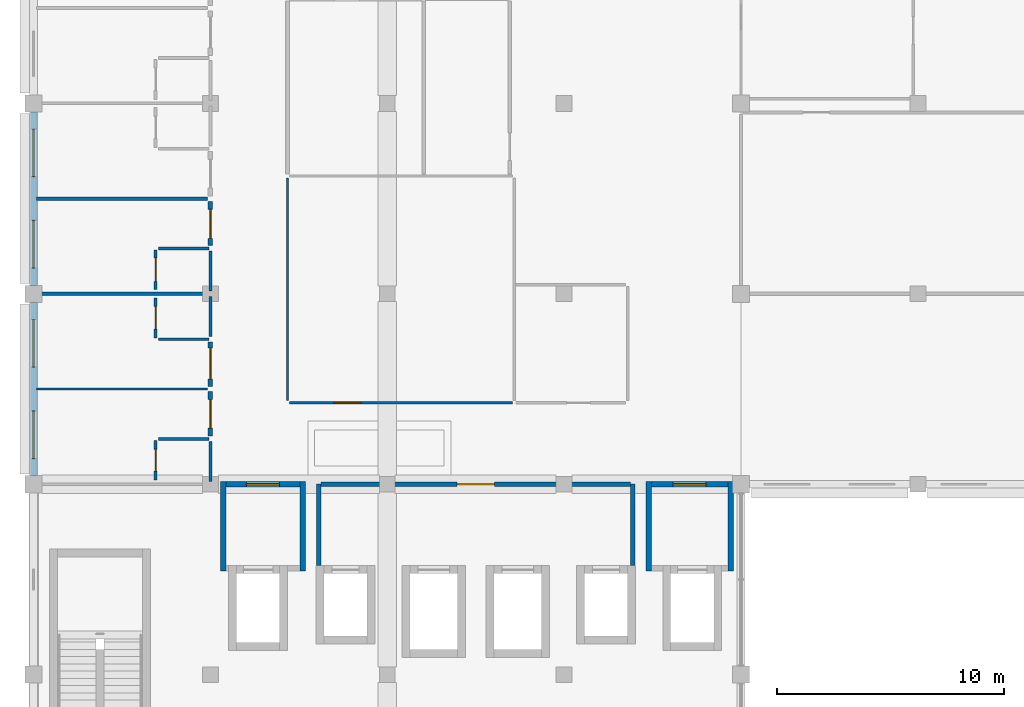
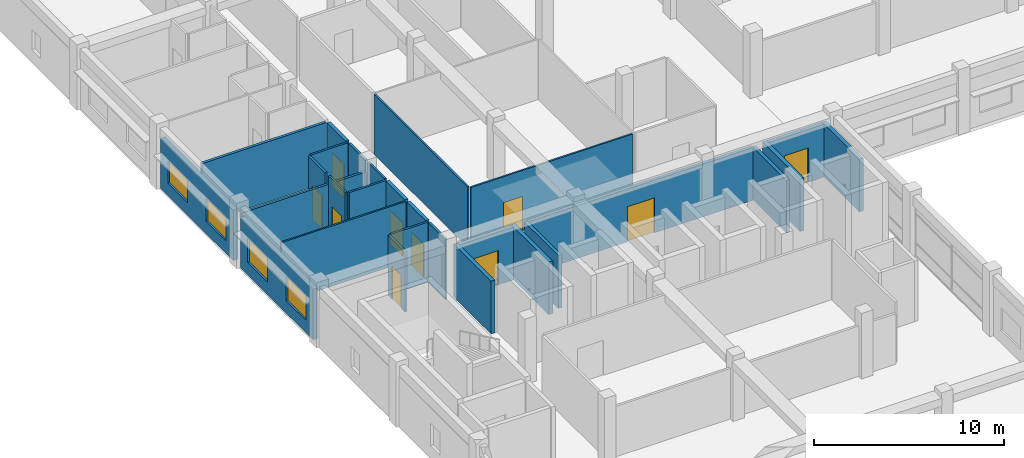
# One storey, part 29 of 53: 28 walls, 10 doors, 4 windows, 14 openings.
"""IFC4 building model written with IfcOpenShell, lengths in metres."""

from ifc_helpers import new_model, si_unit, direction, frame, frame_2d, origin, place, context, subcontext, project, spatial, rectangle, extrude, material, layer, layer_set, type_object, element, fill, save


model = new_model("IFC4")

# Units and contexts
model_context = context("Model", 3, precision=1e-05, world=origin(), true_north=direction((0.0, 1.0)))
body_context = subcontext(model_context, "Body", "Model", "MODEL_VIEW")
ifc_project = project(units=[si_unit("LENGTHUNIT", "METRE"), si_unit("AREAUNIT", "SQUARE_METRE"), si_unit("VOLUMEUNIT", "CUBIC_METRE"), si_unit("PLANEANGLEUNIT", "RADIAN"), si_unit("MASSUNIT", "GRAM", prefix="KILO"), si_unit("THERMODYNAMICTEMPERATUREUNIT", "KELVIN"), si_unit("POWERUNIT", "WATT")], contexts=[model_context])

# Site, building, storey
site_placement = place(None, origin())
site = spatial("IfcSite", under=ifc_project, at=site_placement, CompositionType="ELEMENT")
building_placement = place(site_placement, origin())
building = spatial("IfcBuilding", under=site, at=building_placement, Name="Srebrne Nadtorze General Hospital", CompositionType="ELEMENT")
storey_placement = place(building_placement, frame((0.0, 0.0, 18.0)))
storey = spatial("IfcBuildingStorey", under=building, at=storey_placement, Name="L04", CompositionType="ELEMENT", Elevation=18.0)

# Walls
ifc_material_1 = material(Name="Gypsum Healthcare Partition")
ifc_layer_1 = layer(ifc_material_1, 0.139892578125)
ifc_layer_set_1 = layer_set([ifc_layer_1], Name="Gypsum Healthcare Partition")
wall_type_1 = type_object("IfcWallType", Name="Clinical partition 140", PredefinedType="PARTITIONING", material=ifc_layer_set_1)
wall_1_placement = place(storey_placement, frame((23.52001953125, 58.800048828125, 0.0), z_axis=(0.0, 0.0, 1.0), x_axis=(1.0, 0.0, 0.0)))
element("IfcWall", 1, at=wall_1_placement, inside=storey, type_object=wall_type_1, Name="Ward inter-room partition WL-INT-L04-1700", PredefinedType="PARTITIONING", context=body_context, shape_type="SweptSolid", body=[
    extrude(rectangle(XDim=7.56005859375, YDim=0.139892578125, at=frame_2d((3.780029296875, 0.0))), origin(), (0.0, 0.0, 1.0), 3.235107421875),
])
ifc_material_2 = material(Name="Gypsum Healthcare Partition")
ifc_layer_2 = layer(ifc_material_2, 0.159912109375)
ifc_layer_set_2 = layer_set([ifc_layer_2], Name="Gypsum Healthcare Partition")
wall_type_2 = type_object("IfcWallType", Name="Clinical partition 160", PredefinedType="PARTITIONING", material=ifc_layer_set_2)
wall_2_placement = place(storey_placement, frame((23.52001953125, 63.0, 0.0), z_axis=(0.0, 0.0, 1.0), x_axis=(1.0, 0.0, 0.0)))
element("IfcWall", 2, at=wall_2_placement, inside=storey, type_object=wall_type_2, Name="Ward inter-room partition WL-INT-L04-1705", PredefinedType="PARTITIONING", context=body_context, shape_type="SweptSolid", body=[
    extrude(rectangle(XDim=7.56005859375, YDim=0.159912109375, at=frame_2d((3.780029296875, 0.0))), origin(), (0.0, 0.0, 1.0), 3.864990234375),
])
ifc_material_3 = material(Name="Gypsum Healthcare Partition")
ifc_layer_3 = layer(ifc_material_3, 0.199951171875)
ifc_layer_set_3 = layer_set([ifc_layer_3], Name="Gypsum Healthcare Partition")
wall_type_3 = type_object("IfcWallType", Name="Compartment wall 200", PredefinedType="STANDARD", material=ifc_layer_set_3)
for number, where, z_axis, x_axis, name in (
    (3, (35.97998046875, 46.81005859375, 0.0), (0.0, 0.0, 1.0), (0.0, 1.0, 0.0), "Lift lobby side wall WL-INT-L04-1065"),
    (4, (49.820068359375, 46.81005859375, 0.0), (0.0, 0.0, 1.0), (0.0, 1.0, 0.0), "Lift lobby side wall WL-INT-L04-1066"),
):
    element("IfcWall", number, at=place(storey_placement, frame(where, z_axis=z_axis, x_axis=x_axis)), inside=storey, type_object=wall_type_3, Name=name, PredefinedType="STANDARD", context=body_context, shape_type="SweptSolid", body=[
        extrude(rectangle(XDim=3.58984375, YDim=0.199951171875, at=frame_2d((1.794921875, 0.0))), origin(), (0.0, 0.0, 1.0), 3.385009765625),
    ])

# Wall, opening, door
wall_3_placement = place(storey_placement, frame((36.080078125, 50.39990234375, 0.0), z_axis=(0.0, 0.0, 1.0), x_axis=(1.0, 0.0, 0.0)))
wall_3 = element("IfcWall", 5, at=wall_3_placement, inside=storey, type_object=wall_type_3, Name="Lift lobby corridor wall WL-INT-L04-1067", PredefinedType="STANDARD", context=body_context, shape_type="SweptSolid", body=[
    extrude(rectangle(XDim=13.639892578125, YDim=0.199951171875, at=frame_2d((6.81982421875, 0.0))), origin(), (0.0, 0.0, 1.0), 3.385009765625),
])
opening_1_placement = place(wall_3_placement, frame((5.9951171875, 0.0, 0.0)))
opening_1 = element("IfcOpeningElement", 6, at=opening_1_placement, cuts=wall_3, Name="Opening D-L04-0144", PredefinedType="OPENING", context=body_context, shape_type="SweptSolid", body=[
    extrude(rectangle(XDim=1.64990234375, YDim=2.25, at=frame_2d((0.824951171875, 1.125))), frame((0.0, 0.11181640625, 0.0), z_axis=(0.0, -1.0, 0.0), x_axis=(1.0, 0.0, 0.0)), (0.0, 0.0, 1.0), 0.223876953125),
])
ifc_material_4 = material(Name="Anodised Aluminium", Category="aluminium")
door_type_1 = type_object("IfcDoorType", Name="Double leaf door 1650x2250", OperationType="DOUBLE_DOOR_SINGLE_SWING", PredefinedType="DOOR", material=ifc_material_4)
door_1_placement = place(opening_1_placement, origin())
door_1 = element("IfcDoor", 7, at=door_1_placement, inside=storey, type_object=door_type_1, Name="Lift lobby corridor door D-L04-0144", OperationType="DOUBLE_DOOR_SINGLE_SWING", OverallHeight=2.25, OverallWidth=1.64990234375, PredefinedType="DOOR", context=body_context, shape_type="SweptSolid", body=[
    extrude(rectangle(XDim=1.64990234375, YDim=2.25, at=frame_2d((0.824951171875, 1.125))), frame((0.0, 0.02490234375, 0.0), z_axis=(0.0, -1.0, 0.0), x_axis=(1.0, 0.0, 0.0)), (0.0, 0.0, 1.0), 0.050048828125),
])
fill(opening_1, door_1)

wall_4_placement = place(storey_placement, frame((31.199951171875, 52.52001953125, 0.0), z_axis=(0.0, 0.0, 1.0), x_axis=(0.0, 1.0, 0.0)))
wall_4 = element("IfcWall", 8, at=wall_4_placement, inside=storey, type_object=wall_type_3, Name="Ward corridor wall WL-INT-L04-1696", PredefinedType="STANDARD", context=body_context, shape_type="SweptSolid", body=[
    extrude(rectangle(XDim=1.9599609375, YDim=0.199951171875, at=frame_2d((0.97998046875, 0.0))), origin(), (0.0, 0.0, 1.0), 3.864990234375),
])
opening_2_placement = place(wall_4_placement, frame((0.35009765625, 0.0, 0.0)))
opening_2 = element("IfcOpeningElement", 9, at=opening_2_placement, cuts=wall_4, Name="Opening D-L04-0294", PredefinedType="OPENING", context=body_context, shape_type="SweptSolid", body=[
    extrude(rectangle(XDim=1.260009765625, YDim=2.10009765625, at=frame_2d((0.6298828125, 1.050048828125))), frame((0.0, 0.11181640625, 0.0), z_axis=(0.0, -1.0, 0.0), x_axis=(1.0, 0.0, 0.0)), (0.0, 0.0, 1.0), 0.223876953125),
])
ifc_material_5 = material(Name="Anodised Aluminium", Category="aluminium")
door_type_2 = type_object("IfcDoorType", Name="Single leaf door 1260x2100", OperationType="NOTDEFINED", PredefinedType="DOOR", material=ifc_material_5)
door_2_placement = place(opening_2_placement, origin())
door_2 = element("IfcDoor", 10, at=door_2_placement, inside=storey, type_object=door_type_2, Name="Ward patient room door D-L04-0294", OperationType="SINGLE_SWING_RIGHT", OverallHeight=2.10009765625, OverallWidth=1.260009765625, PredefinedType="DOOR", context=body_context, shape_type="SweptSolid", body=[
    extrude(rectangle(XDim=1.260009765625, YDim=2.10009765625, at=frame_2d((0.6298828125, 1.050048828125))), frame((0.0, 0.02490234375, 0.0), z_axis=(0.0, -1.0, 0.0), x_axis=(1.0, 0.0, 0.0)), (0.0, 0.0, 1.0), 0.050048828125),
])
fill(opening_2, door_2)

wall_5_placement = place(storey_placement, frame((31.199951171875, 54.719970703125, 0.0), z_axis=(0.0, 0.0, 1.0), x_axis=(0.0, 1.0, 0.0)))
wall_5 = element("IfcWall", 11, at=wall_5_placement, inside=storey, type_object=wall_type_3, Name="Ward corridor wall WL-INT-L04-1701", PredefinedType="STANDARD", context=body_context, shape_type="SweptSolid", body=[
    extrude(rectangle(XDim=1.9599609375, YDim=0.199951171875, at=frame_2d((0.97998046875, 0.0))), origin(), (0.0, 0.0, 1.0), 3.864990234375),
])
opening_3_placement = place(wall_5_placement, frame((0.330078125, 0.0, 0.0)))
opening_3 = element("IfcOpeningElement", 12, at=opening_3_placement, cuts=wall_5, Name="Opening D-L04-0296", PredefinedType="OPENING", context=body_context, shape_type="SweptSolid", body=[
    extrude(rectangle(XDim=1.35009765625, YDim=2.14990234375, at=frame_2d((0.675048828125, 1.074951171875))), frame((0.0, 0.11181640625, 0.0), z_axis=(0.0, -1.0, 0.0), x_axis=(1.0, 0.0, 0.0)), (0.0, 0.0, 1.0), 0.223876953125),
])
ifc_material_6 = material(Name="Anodised Aluminium", Category="aluminium")
door_type_3 = type_object("IfcDoorType", Name="Single leaf door 1350x2150", OperationType="NOTDEFINED", PredefinedType="DOOR", material=ifc_material_6)
door_3_placement = place(opening_3_placement, origin())
door_3 = element("IfcDoor", 13, at=door_3_placement, inside=storey, type_object=door_type_3, Name="Ward patient room door D-L04-0296", OperationType="SINGLE_SWING_LEFT", OverallHeight=2.14990234375, OverallWidth=1.35009765625, PredefinedType="DOOR", context=body_context, shape_type="SweptSolid", body=[
    extrude(rectangle(XDim=1.35009765625, YDim=2.14990234375, at=frame_2d((0.675048828125, 1.074951171875))), frame((0.0, 0.02490234375, 0.0), z_axis=(0.0, -1.0, 0.0), x_axis=(1.0, 0.0, 0.0)), (0.0, 0.0, 1.0), 0.050048828125),
])
fill(opening_3, door_3)

wall_6_placement = place(storey_placement, frame((31.199951171875, 60.919921875, 0.0), z_axis=(0.0, 0.0, 1.0), x_axis=(0.0, 1.0, 0.0)))
wall_6 = element("IfcWall", 14, at=wall_6_placement, inside=storey, type_object=wall_type_3, Name="Ward corridor wall WL-INT-L04-1706", PredefinedType="STANDARD", context=body_context, shape_type="SweptSolid", body=[
    extrude(rectangle(XDim=1.9599609375, YDim=0.199951171875, at=frame_2d((0.97998046875, 0.0))), origin(), (0.0, 0.0, 1.0), 3.864990234375),
])
opening_4_placement = place(wall_6_placement, frame((0.320068359375, 0.0, 0.0)))
opening_4 = element("IfcOpeningElement", 15, at=opening_4_placement, cuts=wall_6, Name="Opening D-L04-0298", PredefinedType="OPENING", context=body_context, shape_type="SweptSolid", body=[
    extrude(rectangle(XDim=1.280029296875, YDim=2.14990234375, at=frame_2d((0.64013671875, 1.074951171875))), frame((0.0, 0.11181640625, 0.0), z_axis=(0.0, -1.0, 0.0), x_axis=(1.0, 0.0, 0.0)), (0.0, 0.0, 1.0), 0.223876953125),
])
ifc_material_7 = material(Name="Anodised Aluminium", Category="aluminium")
door_type_4 = type_object("IfcDoorType", Name="Single leaf door 1280x2150", OperationType="NOTDEFINED", PredefinedType="DOOR", material=ifc_material_7)
door_4_placement = place(opening_4_placement, origin())
door_4 = element("IfcDoor", 16, at=door_4_placement, inside=storey, type_object=door_type_4, Name="Ward patient room door D-L04-0298", OperationType="SINGLE_SWING_LEFT", OverallHeight=2.14990234375, OverallWidth=1.280029296875, PredefinedType="DOOR", context=body_context, shape_type="SweptSolid", body=[
    extrude(rectangle(XDim=1.280029296875, YDim=2.14990234375, at=frame_2d((0.64013671875, 1.074951171875))), frame((0.0, 0.02490234375, 0.0), z_axis=(0.0, -1.0, 0.0), x_axis=(1.0, 0.0, 0.0)), (0.0, 0.0, 1.0), 0.050048828125),
])
fill(opening_4, door_4)

# Walls
ifc_material_8 = material(Name="Gypsum Healthcare Partition")
ifc_layer_4 = layer(ifc_material_8, 0.239990234375)
ifc_layer_set_4 = layer_set([ifc_layer_4], Name="Gypsum Healthcare Partition")
wall_type_4 = type_object("IfcWallType", Name="Corridor fire wall 240", PredefinedType="STANDARD", material=ifc_layer_set_4)
for number, where, z_axis, x_axis, name in (
    (17, (31.760009765625, 46.570068359375, 0.0), (0.0, 0.0, 1.0), (0.0, 1.0, 0.0), "FF lift lobby wall WL-INT-L04-1055"),
    (18, (35.27001953125, 46.570068359375, 0.0), (0.0, 0.0, 1.0), (0.0, 1.0, 0.0), "FF lift lobby wall WL-INT-L04-1056"),
):
    element("IfcWall", number, at=place(storey_placement, frame(where, z_axis=z_axis, x_axis=x_axis)), inside=storey, type_object=wall_type_4, Name=name, PredefinedType="STANDARD", context=body_context, shape_type="SweptSolid", body=[
        extrude(rectangle(XDim=3.949951171875, YDim=0.239990234375, at=frame_2d((1.97509765625, 0.0))), origin(), (0.0, 0.0, 1.0), 3.385009765625),
    ])

# Wall, opening, door
wall_7_placement = place(storey_placement, frame((31.8798828125, 50.39990234375, 0.0), z_axis=(0.0, 0.0, 1.0), x_axis=(1.0, 0.0, 0.0)))
wall_7 = element("IfcWall", 19, at=wall_7_placement, inside=storey, type_object=wall_type_4, Name="FF lift lobby front wall WL-INT-L04-1059", PredefinedType="STANDARD", context=body_context, shape_type="SweptSolid", body=[
    extrude(rectangle(XDim=3.27001953125, YDim=0.239990234375, at=frame_2d((1.635009765625, 0.0))), origin(), (0.0, 0.0, 1.0), 3.385009765625),
])
opening_5_placement = place(wall_7_placement, frame((0.909912109375, 0.0, 0.0)))
opening_5 = element("IfcOpeningElement", 20, at=opening_5_placement, cuts=wall_7, Name="Opening D-L04-0142", PredefinedType="OPENING", context=body_context, shape_type="SweptSolid", body=[
    extrude(rectangle(XDim=1.449951171875, YDim=2.199951171875, at=frame_2d((0.72509765625, 1.10009765625))), frame((0.0, 0.1318359375, 0.0), z_axis=(0.0, -1.0, 0.0), x_axis=(1.0, 0.0, 0.0)), (0.0, 0.0, 1.0), 0.263916015625),
])
ifc_material_9 = material(Name="Anodised Aluminium", Category="aluminium")
door_type_5 = type_object("IfcDoorType", Name="Double leaf door 1450x2200", OperationType="DOUBLE_DOOR_SINGLE_SWING", PredefinedType="DOOR", material=ifc_material_9)
door_5_placement = place(opening_5_placement, origin())
door_5 = element("IfcDoor", 21, at=door_5_placement, inside=storey, type_object=door_type_5, Name="Firefighting lift lobby door D-L04-0142", OperationType="DOUBLE_DOOR_SINGLE_SWING", OverallHeight=2.199951171875, OverallWidth=1.449951171875, PredefinedType="DOOR", context=body_context, shape_type="SweptSolid", body=[
    extrude(rectangle(XDim=1.449951171875, YDim=2.199951171875, at=frame_2d((0.72509765625, 1.10009765625))), frame((0.0, 0.02490234375, 0.0), z_axis=(0.0, -1.0, 0.0), x_axis=(1.0, 0.0, 0.0)), (0.0, 0.0, 1.0), 0.050048828125),
])
fill(opening_5, door_5)

# Walls
for number, where, z_axis, x_axis, name in (
    (22, (50.530029296875, 46.570068359375, 0.0), (0.0, 0.0, 1.0), (0.0, 1.0, 0.0), "FF lift lobby wall WL-INT-L04-1060"),
    (23, (54.139892578125, 46.570068359375, 0.0), (0.0, 0.0, 1.0), (0.0, 1.0, 0.0), "FF lift lobby wall WL-INT-L04-1061"),
):
    element("IfcWall", number, at=place(storey_placement, frame(where, z_axis=z_axis, x_axis=x_axis)), inside=storey, type_object=wall_type_4, Name=name, PredefinedType="STANDARD", context=body_context, shape_type="SweptSolid", body=[
        extrude(rectangle(XDim=3.949951171875, YDim=0.239990234375, at=frame_2d((1.97509765625, 0.0))), origin(), (0.0, 0.0, 1.0), 3.385009765625),
    ])

# Wall, opening, door
wall_8_placement = place(storey_placement, frame((50.64990234375, 50.39990234375, 0.0), z_axis=(0.0, 0.0, 1.0), x_axis=(1.0, 0.0, 0.0)))
wall_8 = element("IfcWall", 24, at=wall_8_placement, inside=storey, type_object=wall_type_4, Name="FF lift lobby front wall WL-INT-L04-1064", PredefinedType="STANDARD", context=body_context, shape_type="SweptSolid", body=[
    extrude(rectangle(XDim=3.3701171875, YDim=0.239990234375, at=frame_2d((1.68505859375, 0.0))), origin(), (0.0, 0.0, 1.0), 3.385009765625),
])
opening_6_placement = place(wall_8_placement, frame((0.9599609375, 0.0, 0.0)))
opening_6 = element("IfcOpeningElement", 25, at=opening_6_placement, cuts=wall_8, Name="Opening D-L04-0143", PredefinedType="OPENING", context=body_context, shape_type="SweptSolid", body=[
    extrude(rectangle(XDim=1.449951171875, YDim=2.199951171875, at=frame_2d((0.72509765625, 1.10009765625))), frame((0.0, 0.1318359375, 0.0), z_axis=(0.0, -1.0, 0.0), x_axis=(1.0, 0.0, 0.0)), (0.0, 0.0, 1.0), 0.263916015625),
])
door_6_placement = place(opening_6_placement, origin())
door_6 = element("IfcDoor", 26, at=door_6_placement, inside=storey, type_object=door_type_5, Name="Firefighting lift lobby door D-L04-0143", OperationType="DOUBLE_DOOR_SINGLE_SWING", OverallHeight=2.199951171875, OverallWidth=1.449951171875, PredefinedType="DOOR", context=body_context, shape_type="SweptSolid", body=[
    extrude(rectangle(XDim=1.449951171875, YDim=2.199951171875, at=frame_2d((0.72509765625, 1.10009765625))), frame((0.0, 0.02490234375, 0.0), z_axis=(0.0, -1.0, 0.0), x_axis=(1.0, 0.0, 0.0)), (0.0, 0.0, 1.0), 0.050048828125),
])
fill(opening_6, door_6)

# Walls
ifc_material_10 = material(Name="Gypsum Healthcare Partition")
ifc_layer_5 = layer(ifc_material_10, 0.1201171875)
ifc_layer_set_5 = layer_set([ifc_layer_5], Name="Gypsum Healthcare Partition")
wall_type_5 = type_object("IfcWallType", Name="En-suite partition 120", PredefinedType="PARTITIONING", material=ifc_layer_set_5)
wall_9_placement = place(storey_placement, frame((31.199951171875, 50.52001953125, 0.0), z_axis=(0.0, 0.0, 1.0), x_axis=(0.0, 1.0, 0.0)))
element("IfcWall", 27, at=wall_9_placement, inside=storey, type_object=wall_type_5, Name="En-suite corridor wall WL-INT-L04-1697", PredefinedType="PARTITIONING", context=body_context, shape_type="SweptSolid", body=[
    extrude(rectangle(XDim=1.760009765625, YDim=0.1201171875, at=frame_2d((0.8798828125, 0.0))), origin(), (0.0, 0.0, 1.0), 3.864990234375),
])
wall_10_placement = place(storey_placement, frame((28.89990234375, 52.39990234375, 0.0), z_axis=(0.0, 0.0, 1.0), x_axis=(1.0, 0.0, 0.0)))
element("IfcWall", 28, at=wall_10_placement, inside=storey, type_object=wall_type_5, Name="En-suite wet wall WL-INT-L04-1698", PredefinedType="PARTITIONING", context=body_context, shape_type="SweptSolid", body=[
    extrude(rectangle(XDim=2.239990234375, YDim=0.1201171875, at=frame_2d((1.1201171875, 0.0))), origin(), (0.0, 0.0, 1.0), 3.864990234375),
])

# Wall, opening, door
wall_11_placement = place(storey_placement, frame((28.780029296875, 50.580078125, 0.0), z_axis=(0.0, 0.0, 1.0), x_axis=(0.0, 1.0, 0.0)))
wall_11 = element("IfcWall", 29, at=wall_11_placement, inside=storey, type_object=wall_type_5, Name="En-suite wet wall WL-INT-L04-1699", PredefinedType="PARTITIONING", context=body_context, shape_type="SweptSolid", body=[
    extrude(rectangle(XDim=1.760009765625, YDim=0.1201171875, at=frame_2d((0.8798828125, 0.0))), origin(), (0.0, 0.0, 1.0), 3.864990234375),
])
opening_7_placement = place(wall_11_placement, frame((0.39990234375, 0.0, 0.0)))
opening_7 = element("IfcOpeningElement", 30, at=opening_7_placement, cuts=wall_11, Name="Opening D-L04-0295", PredefinedType="OPENING", context=body_context, shape_type="SweptSolid", body=[
    extrude(rectangle(XDim=0.9599609375, YDim=2.1201171875, at=frame_2d((0.47998046875, 1.06005859375))), frame((0.0, 0.072021484375, 0.0), z_axis=(0.0, -1.0, 0.0), x_axis=(1.0, 0.0, 0.0)), (0.0, 0.0, 1.0), 0.14404296875),
])
ifc_material_11 = material(Name="Anodised Aluminium", Category="aluminium")
door_type_6 = type_object("IfcDoorType", Name="Single leaf door 960x2120", OperationType="NOTDEFINED", PredefinedType="DOOR", material=ifc_material_11)
door_7_placement = place(opening_7_placement, frame((0.9599609375, 0.0, 0.0), z_axis=(0.0, 0.0, 1.0), x_axis=(-1.0, 0.0, 0.0)))
door_7 = element("IfcDoor", 31, at=door_7_placement, inside=storey, type_object=door_type_6, Name="En-suite bathroom door D-L04-0295", OperationType="SINGLE_SWING_RIGHT", OverallHeight=2.1201171875, OverallWidth=0.9599609375, PredefinedType="DOOR", context=body_context, shape_type="SweptSolid", body=[
    extrude(rectangle(XDim=0.9599609375, YDim=2.1201171875, at=frame_2d((0.47998046875, 1.06005859375))), frame((0.0, 0.02490234375, 0.0), z_axis=(0.0, -1.0, 0.0), x_axis=(1.0, 0.0, 0.0)), (0.0, 0.0, 1.0), 0.050048828125),
])
fill(opening_7, door_7)

# Walls
wall_12_placement = place(storey_placement, frame((31.199951171875, 56.919921875, 0.0), z_axis=(0.0, 0.0, 1.0), x_axis=(0.0, 1.0, 0.0)))
element("IfcWall", 32, at=wall_12_placement, inside=storey, type_object=wall_type_5, Name="En-suite corridor wall WL-INT-L04-1702", PredefinedType="PARTITIONING", context=body_context, shape_type="SweptSolid", body=[
    extrude(rectangle(XDim=1.760009765625, YDim=0.1201171875, at=frame_2d((0.8798828125, 0.0))), origin(), (0.0, 0.0, 1.0), 3.864990234375),
])
wall_13_placement = place(storey_placement, frame((28.89990234375, 56.800048828125, 0.0), z_axis=(0.0, 0.0, 1.0), x_axis=(1.0, 0.0, 0.0)))
element("IfcWall", 33, at=wall_13_placement, inside=storey, type_object=wall_type_5, Name="En-suite wet wall WL-INT-L04-1703", PredefinedType="PARTITIONING", context=body_context, shape_type="SweptSolid", body=[
    extrude(rectangle(XDim=2.239990234375, YDim=0.1201171875, at=frame_2d((1.1201171875, 0.0))), origin(), (0.0, 0.0, 1.0), 3.864990234375),
])

# Wall, opening, door
wall_14_placement = place(storey_placement, frame((28.780029296875, 56.860107421875, 0.0), z_axis=(0.0, 0.0, 1.0), x_axis=(0.0, 1.0, 0.0)))
wall_14 = element("IfcWall", 34, at=wall_14_placement, inside=storey, type_object=wall_type_5, Name="En-suite wet wall WL-INT-L04-1704", PredefinedType="PARTITIONING", context=body_context, shape_type="SweptSolid", body=[
    extrude(rectangle(XDim=1.760009765625, YDim=0.1201171875, at=frame_2d((0.8798828125, 0.0))), origin(), (0.0, 0.0, 1.0), 3.864990234375),
])
opening_8_placement = place(wall_14_placement, frame((0.389892578125, 0.0, 0.0)))
opening_8 = element("IfcOpeningElement", 35, at=opening_8_placement, cuts=wall_14, Name="Opening D-L04-0297", PredefinedType="OPENING", context=body_context, shape_type="SweptSolid", body=[
    extrude(rectangle(XDim=0.97998046875, YDim=2.10009765625, at=frame_2d((0.489990234375, 1.050048828125))), frame((0.0, 0.072021484375, 0.0), z_axis=(0.0, -1.0, 0.0), x_axis=(1.0, 0.0, 0.0)), (0.0, 0.0, 1.0), 0.14404296875),
])
ifc_material_12 = material(Name="Anodised Aluminium", Category="aluminium")
door_type_7 = type_object("IfcDoorType", Name="Single leaf door 980x2100", OperationType="NOTDEFINED", PredefinedType="DOOR", material=ifc_material_12)
door_8_placement = place(opening_8_placement, frame((0.97998046875, 0.0, 0.0), z_axis=(0.0, 0.0, 1.0), x_axis=(-1.0, 0.0, 0.0)))
door_8 = element("IfcDoor", 36, at=door_8_placement, inside=storey, type_object=door_type_7, Name="En-suite bathroom door D-L04-0297", OperationType="SINGLE_SWING_RIGHT", OverallHeight=2.10009765625, OverallWidth=0.97998046875, PredefinedType="DOOR", context=body_context, shape_type="SweptSolid", body=[
    extrude(rectangle(XDim=0.97998046875, YDim=2.10009765625, at=frame_2d((0.489990234375, 1.050048828125))), frame((0.0, 0.02490234375, 0.0), z_axis=(0.0, -1.0, 0.0), x_axis=(1.0, 0.0, 0.0)), (0.0, 0.0, 1.0), 0.050048828125),
])
fill(opening_8, door_8)

# Walls
wall_15_placement = place(storey_placement, frame((31.199951171875, 58.919921875, 0.0), z_axis=(0.0, 0.0, 1.0), x_axis=(0.0, 1.0, 0.0)))
element("IfcWall", 37, at=wall_15_placement, inside=storey, type_object=wall_type_5, Name="En-suite corridor wall WL-INT-L04-1707", PredefinedType="PARTITIONING", context=body_context, shape_type="SweptSolid", body=[
    extrude(rectangle(XDim=1.760009765625, YDim=0.1201171875, at=frame_2d((0.8798828125, 0.0))), origin(), (0.0, 0.0, 1.0), 3.864990234375),
])
wall_16_placement = place(storey_placement, frame((28.89990234375, 60.800048828125, 0.0), z_axis=(0.0, 0.0, 1.0), x_axis=(1.0, 0.0, 0.0)))
element("IfcWall", 38, at=wall_16_placement, inside=storey, type_object=wall_type_5, Name="En-suite wet wall WL-INT-L04-1708", PredefinedType="PARTITIONING", context=body_context, shape_type="SweptSolid", body=[
    extrude(rectangle(XDim=2.239990234375, YDim=0.1201171875, at=frame_2d((1.1201171875, 0.0))), origin(), (0.0, 0.0, 1.0), 3.864990234375),
])

# Wall, opening, door
wall_17_placement = place(storey_placement, frame((28.780029296875, 58.97998046875, 0.0), z_axis=(0.0, 0.0, 1.0), x_axis=(0.0, 1.0, 0.0)))
wall_17 = element("IfcWall", 39, at=wall_17_placement, inside=storey, type_object=wall_type_5, Name="En-suite wet wall WL-INT-L04-1709", PredefinedType="PARTITIONING", context=body_context, shape_type="SweptSolid", body=[
    extrude(rectangle(XDim=1.760009765625, YDim=0.1201171875, at=frame_2d((0.8798828125, 0.0))), origin(), (0.0, 0.0, 1.0), 3.864990234375),
])
opening_9_placement = place(wall_17_placement, frame((0.3701171875, 0.0, 0.0)))
opening_9 = element("IfcOpeningElement", 40, at=opening_9_placement, cuts=wall_17, Name="Opening D-L04-0299", PredefinedType="OPENING", context=body_context, shape_type="SweptSolid", body=[
    extrude(rectangle(XDim=1.02001953125, YDim=2.14990234375, at=frame_2d((0.510009765625, 1.074951171875))), frame((0.0, 0.072021484375, 0.0), z_axis=(0.0, -1.0, 0.0), x_axis=(1.0, 0.0, 0.0)), (0.0, 0.0, 1.0), 0.14404296875),
])
ifc_material_13 = material(Name="Anodised Aluminium", Category="aluminium")
door_type_8 = type_object("IfcDoorType", Name="Single leaf door 1020x2150", OperationType="NOTDEFINED", PredefinedType="DOOR", material=ifc_material_13)
door_9_placement = place(opening_9_placement, frame((1.02001953125, 0.0, 0.0), z_axis=(0.0, 0.0, 1.0), x_axis=(-1.0, 0.0, 0.0)))
door_9 = element("IfcDoor", 41, at=door_9_placement, inside=storey, type_object=door_type_8, Name="En-suite bathroom door D-L04-0299", OperationType="SINGLE_SWING_RIGHT", OverallHeight=2.14990234375, OverallWidth=1.02001953125, PredefinedType="DOOR", context=body_context, shape_type="SweptSolid", body=[
    extrude(rectangle(XDim=1.02001953125, YDim=2.14990234375, at=frame_2d((0.510009765625, 1.074951171875))), frame((0.0, 0.02490234375, 0.0), z_axis=(0.0, -1.0, 0.0), x_axis=(1.0, 0.0, 0.0)), (0.0, 0.0, 1.0), 0.050048828125),
])
fill(opening_9, door_9)

# Wall
ifc_material_14 = material(Name="Gypsum Healthcare Partition")
ifc_layer_6 = layer(ifc_material_14, 0.10009765625)
ifc_layer_set_6 = layer_set([ifc_layer_6], Name="Gypsum Healthcare Partition")
wall_type_6 = type_object("IfcWallType", Name="Shaft lining wall 100", PredefinedType="PARTITIONING", material=ifc_layer_set_6)
wall_18_placement = place(storey_placement, frame((23.52001953125, 54.60009765625, 0.0), z_axis=(0.0, 0.0, 1.0), x_axis=(1.0, 0.0, 0.0)))
element("IfcWall", 42, at=wall_18_placement, inside=storey, type_object=wall_type_6, Name="Ward inter-room partition WL-INT-L04-1695", PredefinedType="PARTITIONING", context=body_context, shape_type="SweptSolid", body=[
    extrude(rectangle(XDim=7.56005859375, YDim=0.10009765625, at=frame_2d((3.780029296875, 0.0))), origin(), (0.0, 0.0, 1.0), 3.864990234375),
])

# Wall, opening, door
wall_19_placement = place(storey_placement, frame((34.68505859375, 54.0, 0.0), z_axis=(0.0, 0.0, 1.0), x_axis=(1.0, 0.0, 0.0)))
wall_19 = element("IfcWall", 43, at=wall_19_placement, inside=storey, type_object=wall_type_6, Name="Nursing Station wall WL-INT-L04-1817", PredefinedType="PARTITIONING", context=body_context, shape_type="SweptSolid", body=[
    extrude(rectangle(XDim=9.829833984375, YDim=0.10009765625, at=frame_2d((4.9150390625, 0.0))), origin(), (0.0, 0.0, 1.0), 3.864990234375),
])
opening_10_placement = place(wall_19_placement, frame((1.96044921875, 0.0, 0.0)))
opening_10 = element("IfcOpeningElement", 44, at=opening_10_placement, cuts=wall_19, Name="Opening D-L04-0342", PredefinedType="OPENING", context=body_context, shape_type="SweptSolid", body=[
    extrude(rectangle(XDim=1.179931640625, YDim=2.199951171875, at=frame_2d((0.58984375, 1.10009765625))), frame((0.0, 0.06201171875, 0.0), z_axis=(0.0, -1.0, 0.0), x_axis=(1.0, 0.0, 0.0)), (0.0, 0.0, 1.0), 0.1240234375),
])
ifc_material_15 = material(Name="Anodised Aluminium", Category="aluminium")
door_type_9 = type_object("IfcDoorType", Name="Single leaf door 1180x2200", OperationType="NOTDEFINED", PredefinedType="DOOR", material=ifc_material_15)
door_10_placement = place(opening_10_placement, origin())
door_10 = element("IfcDoor", 45, at=door_10_placement, inside=storey, type_object=door_type_9, Name="Nursing Station door D-L04-0342", OperationType="SINGLE_SWING_LEFT", OverallHeight=2.199951171875, OverallWidth=1.179931640625, PredefinedType="DOOR", context=body_context, shape_type="SweptSolid", body=[
    extrude(rectangle(XDim=1.179931640625, YDim=2.199951171875, at=frame_2d((0.58984375, 1.10009765625))), frame((0.0, 0.02490234375, 0.0), z_axis=(0.0, -1.0, 0.0), x_axis=(1.0, 0.0, 0.0)), (0.0, 0.0, 1.0), 0.050048828125),
])
fill(opening_10, door_10)

# Wall
wall_20_placement = place(storey_placement, frame((34.60009765625, 54.0849609375, 0.0), z_axis=(0.0, 0.0, 1.0), x_axis=(0.0, 1.0, 0.0)))
element("IfcWall", 46, at=wall_20_placement, inside=storey, type_object=wall_type_6, Name="Nursing Station wall WL-INT-L04-1819", PredefinedType="PARTITIONING", context=body_context, shape_type="SweptSolid", body=[
    extrude(rectangle(XDim=9.830078125, YDim=0.10009765625, at=frame_2d((4.9150390625, 0.0))), origin(), (0.0, 0.0, 1.0), 3.864990234375),
])

# Wall, openings, windows
ifc_material_16 = material(Name="Concrete C35/45 precast", Category="concrete")
ifc_layer_7 = layer(ifc_material_16, 0.280029296875)
ifc_layer_set_7 = layer_set([ifc_layer_7], Name="Concrete C35/45 precast")
wall_type_7 = type_object("IfcWallType", Name="Spandrel wall 280", PredefinedType="STANDARD", material=ifc_layer_set_7)
wall_21_placement = place(storey_placement, frame((23.39990234375, 50.77490234375, 0.0), z_axis=(0.0, 0.0, 1.0), x_axis=(0.0, 1.0, 0.0)))
wall_21 = element("IfcWall", 47, at=wall_21_placement, inside=storey, type_object=wall_type_7, Name="Exterior wall WL-ENV-L04-0381", PredefinedType="STANDARD", context=body_context, shape_type="SweptSolid", body=[
    extrude(rectangle(XDim=7.650146484375, YDim=0.280029296875, at=frame_2d((3.8251953125, 0.0))), origin(), (0.0, 0.0, 1.0), 3.235107421875),
])
opening_11_placement = place(wall_21_placement, frame((0.759033203125, 0.0, 0.800048828125)))
opening_11 = element("IfcOpeningElement", 48, at=opening_11_placement, cuts=wall_21, Name="Opening WN-L04-0583", PredefinedType="OPENING", context=body_context, shape_type="SweptSolid", body=[
    extrude(rectangle(XDim=2.10009765625, YDim=1.550048828125, at=frame_2d((1.050048828125, 0.77490234375))), frame((0.0, 0.15185546875, 0.0), z_axis=(0.0, -1.0, 0.0), x_axis=(1.0, 0.0, 0.0)), (0.0, 0.0, 1.0), 0.303955078125),
])
opening_12_placement = place(wall_21_placement, frame((4.791015625, 0.0, 0.800048828125)))
opening_12 = element("IfcOpeningElement", 49, at=opening_12_placement, cuts=wall_21, Name="Opening WN-L04-0584", PredefinedType="OPENING", context=body_context, shape_type="SweptSolid", body=[
    extrude(rectangle(XDim=2.10009765625, YDim=1.550048828125, at=frame_2d((1.050048828125, 0.77490234375))), frame((0.0, 0.15185546875, 0.0), z_axis=(0.0, -1.0, 0.0), x_axis=(1.0, 0.0, 0.0)), (0.0, 0.0, 1.0), 0.303955078125),
])
ifc_material_17 = material(Name="Triple Low-E Glazing", Category="glass")
window_type_1 = type_object("IfcWindowType", Name="Punched clinical window 2100x1550", PartitioningType="DOUBLE_PANEL_VERTICAL", PredefinedType="WINDOW", material=ifc_material_17)
window_1_placement = place(opening_11_placement, origin())
window_1 = element("IfcWindow", 50, at=window_1_placement, inside=storey, type_object=window_type_1, Name="Clinical window WN-L04-0583", OverallHeight=1.550048828125, OverallWidth=2.10009765625, PartitioningType="DOUBLE_PANEL_VERTICAL", PredefinedType="WINDOW", context=body_context, shape_type="SweptSolid", body=[
    extrude(rectangle(XDim=2.10009765625, YDim=1.550048828125, at=frame_2d((1.050048828125, 0.77490234375))), frame((0.0, 0.030029296875, 0.0), z_axis=(0.0, -1.0, 0.0), x_axis=(1.0, 0.0, 0.0)), (0.0, 0.0, 1.0), 0.06005859375),
])
fill(opening_11, window_1)
window_2_placement = place(opening_12_placement, origin())
window_2 = element("IfcWindow", 51, at=window_2_placement, inside=storey, type_object=window_type_1, Name="Clinical window WN-L04-0584", OverallHeight=1.550048828125, OverallWidth=2.10009765625, PartitioningType="DOUBLE_PANEL_VERTICAL", PredefinedType="WINDOW", context=body_context, shape_type="SweptSolid", body=[
    extrude(rectangle(XDim=2.10009765625, YDim=1.550048828125, at=frame_2d((1.050048828125, 0.77490234375))), frame((0.0, 0.030029296875, 0.0), z_axis=(0.0, -1.0, 0.0), x_axis=(1.0, 0.0, 0.0)), (0.0, 0.0, 1.0), 0.06005859375),
])
fill(opening_12, window_2)

wall_22_placement = place(storey_placement, frame((23.39990234375, 59.175048828125, 0.0), z_axis=(0.0, 0.0, 1.0), x_axis=(0.0, 1.0, 0.0)))
wall_22 = element("IfcWall", 52, at=wall_22_placement, inside=storey, type_object=wall_type_7, Name="Exterior wall WL-ENV-L04-0382", PredefinedType="STANDARD", context=body_context, shape_type="SweptSolid", body=[
    extrude(rectangle(XDim=7.64990234375, YDim=0.280029296875, at=frame_2d((3.824951171875, 0.0))), origin(), (0.0, 0.0, 1.0), 3.235107421875),
])
opening_13_placement = place(wall_22_placement, frame((0.759033203125, 0.0, 0.800048828125)))
opening_13 = element("IfcOpeningElement", 53, at=opening_13_placement, cuts=wall_22, Name="Opening WN-L04-0585", PredefinedType="OPENING", context=body_context, shape_type="SweptSolid", body=[
    extrude(rectangle(XDim=2.10009765625, YDim=1.449951171875, at=frame_2d((1.050048828125, 0.72509765625))), frame((0.0, 0.15185546875, 0.0), z_axis=(0.0, -1.0, 0.0), x_axis=(1.0, 0.0, 0.0)), (0.0, 0.0, 1.0), 0.303955078125),
])
opening_14_placement = place(wall_22_placement, frame((4.791015625, 0.0, 0.800048828125)))
opening_14 = element("IfcOpeningElement", 54, at=opening_14_placement, cuts=wall_22, Name="Opening WN-L04-0586", PredefinedType="OPENING", context=body_context, shape_type="SweptSolid", body=[
    extrude(rectangle(XDim=2.10009765625, YDim=1.449951171875, at=frame_2d((1.050048828125, 0.72509765625))), frame((0.0, 0.15185546875, 0.0), z_axis=(0.0, -1.0, 0.0), x_axis=(1.0, 0.0, 0.0)), (0.0, 0.0, 1.0), 0.303955078125),
])
ifc_material_18 = material(Name="Triple Low-E Glazing", Category="glass")
window_type_2 = type_object("IfcWindowType", Name="Punched clinical window 2100x1450", PartitioningType="DOUBLE_PANEL_VERTICAL", PredefinedType="WINDOW", material=ifc_material_18)
window_3_placement = place(opening_13_placement, origin())
window_3 = element("IfcWindow", 55, at=window_3_placement, inside=storey, type_object=window_type_2, Name="Clinical window WN-L04-0585", OverallHeight=1.449951171875, OverallWidth=2.10009765625, PartitioningType="DOUBLE_PANEL_VERTICAL", PredefinedType="WINDOW", context=body_context, shape_type="SweptSolid", body=[
    extrude(rectangle(XDim=2.10009765625, YDim=1.449951171875, at=frame_2d((1.050048828125, 0.72509765625))), frame((0.0, 0.030029296875, 0.0), z_axis=(0.0, -1.0, 0.0), x_axis=(1.0, 0.0, 0.0)), (0.0, 0.0, 1.0), 0.06005859375),
])
fill(opening_13, window_3)
window_4_placement = place(opening_14_placement, origin())
window_4 = element("IfcWindow", 56, at=window_4_placement, inside=storey, type_object=window_type_2, Name="Clinical window WN-L04-0586", OverallHeight=1.449951171875, OverallWidth=2.10009765625, PartitioningType="DOUBLE_PANEL_VERTICAL", PredefinedType="WINDOW", context=body_context, shape_type="SweptSolid", body=[
    extrude(rectangle(XDim=2.10009765625, YDim=1.449951171875, at=frame_2d((1.050048828125, 0.72509765625))), frame((0.0, 0.030029296875, 0.0), z_axis=(0.0, -1.0, 0.0), x_axis=(1.0, 0.0, 0.0)), (0.0, 0.0, 1.0), 0.06005859375),
])
fill(opening_14, window_4)

save(model, "model.ifc")
